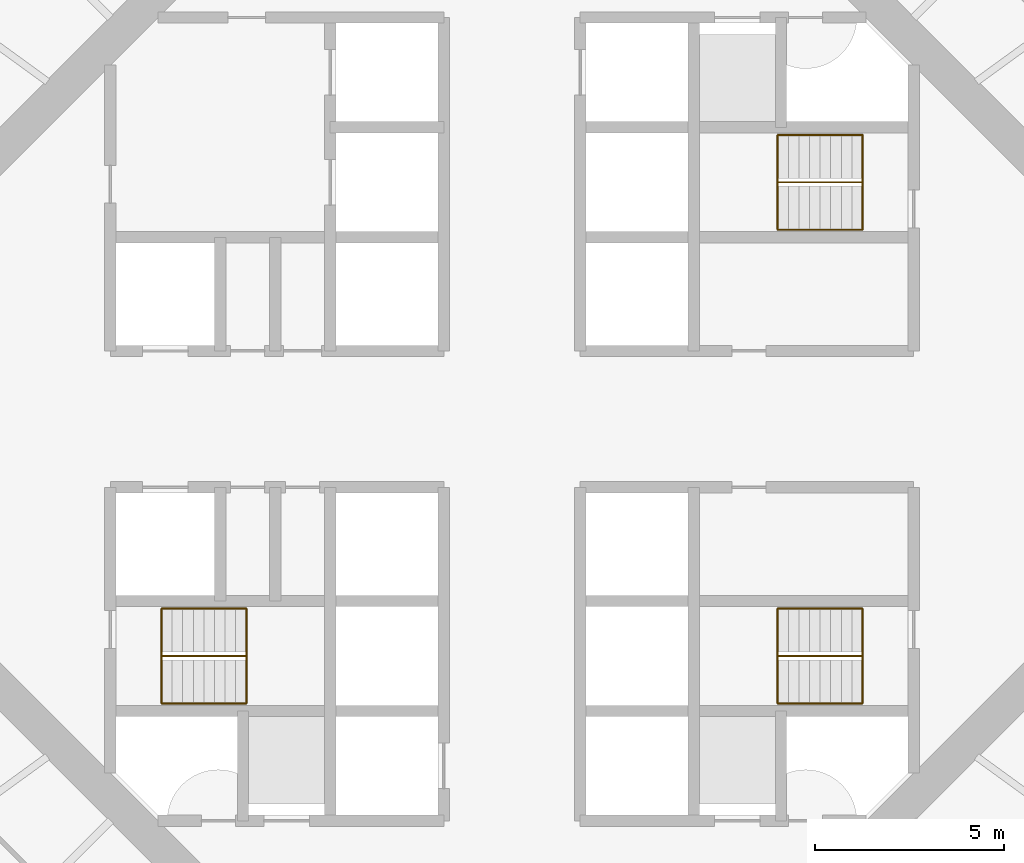
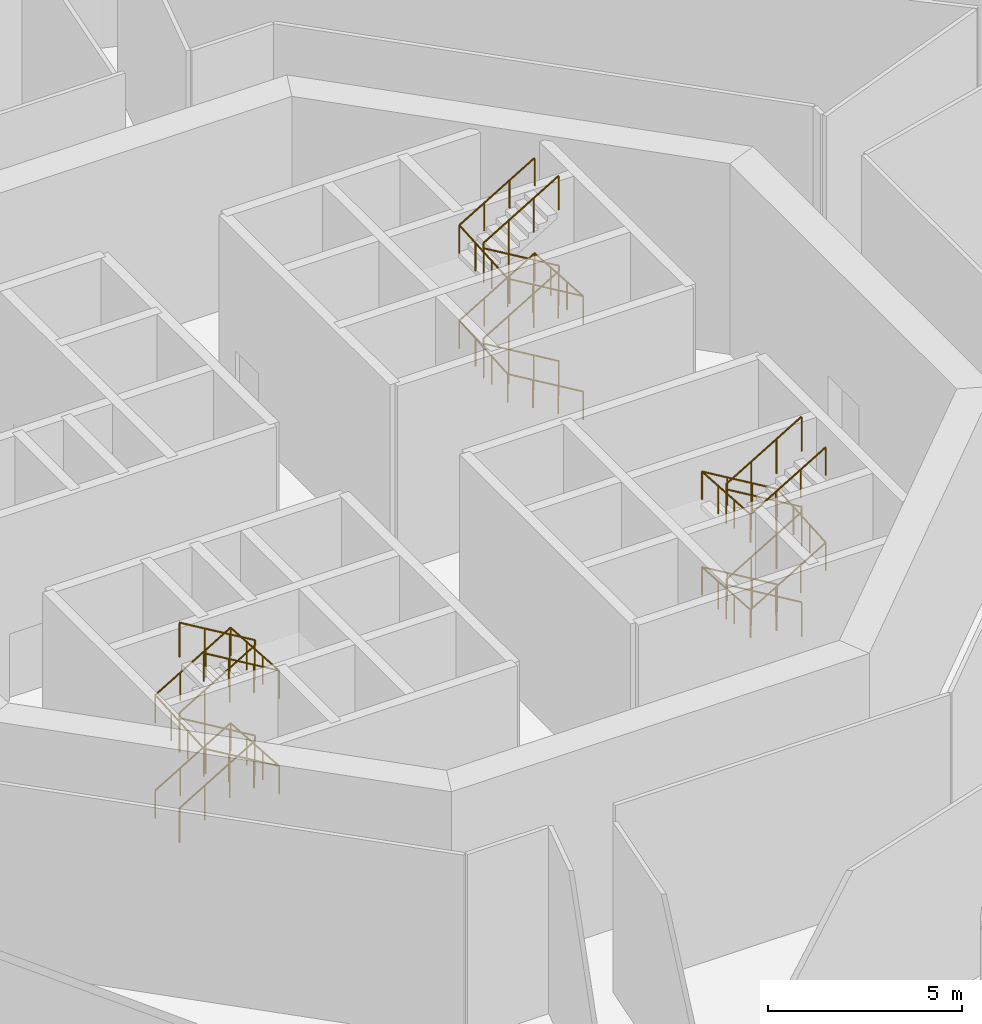
# One storey, part 13 of 14: 6 railings.
"""IFC4 building model written with IfcOpenShell, lengths in metres."""

from ifc_helpers import new_model, si_unit, direction, frame, origin, origin_2d, place, context, subcontext, project, spatial, circle, extrude, material, type_object, element, save


model = new_model("IFC4")

# Units and contexts
model_context = context("Model", 3, precision=1e-05, world=origin(), true_north=direction((0.0, 1.0)))
body_context = subcontext(model_context, "Body", "Model", "MODEL_VIEW")
ifc_project = project(units=[si_unit("LENGTHUNIT", "METRE"), si_unit("AREAUNIT", "SQUARE_METRE"), si_unit("VOLUMEUNIT", "CUBIC_METRE"), si_unit("PLANEANGLEUNIT", "RADIAN"), si_unit("MASSUNIT", "GRAM", prefix="KILO")], contexts=[model_context])

# Site, building, storey
site_placement = place(None, origin())
site = spatial("IfcSite", under=ifc_project, at=site_placement, CompositionType="ELEMENT")
building_placement = place(site_placement, origin())
building = spatial("IfcBuilding", under=site, at=building_placement, Name="Entoto Ring Tower", CompositionType="ELEMENT")
storey_placement = place(building_placement, frame((0.0, 0.0, 262.0)))
storey = spatial("IfcBuildingStorey", under=building, at=storey_placement, Name="L60", CompositionType="ELEMENT", Elevation=262.0)

# Railings
ifc_material_1 = material(Name="Steel S275", Category="steel")
railing_type_1 = type_object("IfcRailingType", Name="Stair guard 1100 mm steel", PredefinedType="GUARDRAIL", material=ifc_material_1)
railing_1_placement = place(storey_placement, frame((99.25, 86.25, 0.166748046875)))
element("IfcRailing", 1, at=railing_1_placement, inside=storey, type_object=railing_type_1, Name="Guard ST1", PredefinedType="GUARDRAIL", context=body_context, shape_type="SweptSolid", body=[
    extrude(circle(Radius=0.02392578125, at=origin_2d()), frame((0.0, 0.0, 1.076171875), z_axis=(-0.859305625298, 0.0, 0.511462454469), x_axis=(0.0, -1.0, 0.0)), (0.0, 0.0, 1.0), 2.606689453125),
    extrude(circle(Radius=0.02392578125, at=origin_2d()), frame((-2.239990234375, 0.0, 2.4091796875), z_axis=(0.0, 0.0, 1.0), x_axis=(1.0, 0.0, 0.0)), (0.0, 0.0, 1.0), 0.166748046875),
    extrude(circle(Radius=0.02392578125, at=origin_2d()), frame((-2.239990234375, 0.0, 2.576171875), z_axis=(0.859305625298, 0.0, 0.511462454469), x_axis=(0.0, 1.0, 0.0)), (0.0, 0.0, 1.0), 2.606689453125),
    extrude(circle(Radius=0.02392578125, at=origin_2d()), frame((0.0, 0.0, 3.9091796875), z_axis=(0.0, 0.0, 1.0), x_axis=(1.0, 0.0, 0.0)), (0.0, 0.0, 1.0), 0.166748046875),
    extrude(circle(Radius=0.02392578125, at=origin_2d()), frame((0.0, 0.0, 4.076171875), z_axis=(-0.859305625298, 0.0, 0.511462454469), x_axis=(0.0, -1.0, 0.0)), (0.0, 0.0, 1.0), 2.606689453125),
    extrude(circle(Radius=0.02392578125, at=origin_2d()), frame((-2.239990234375, 0.0, 5.4091796875), z_axis=(0.0, 0.0, 1.0), x_axis=(1.0, 0.0, 0.0)), (0.0, 0.0, 1.0), 0.166748046875),
    extrude(circle(Radius=0.02392578125, at=origin_2d()), frame((-2.239990234375, 0.0, 5.576171875), z_axis=(0.859305625298, 0.0, 0.511462454469), x_axis=(0.0, 1.0, 0.0)), (0.0, 0.0, 1.0), 2.606689453125),
    extrude(circle(Radius=0.02099609375, at=origin_2d()), origin(), (0.0, 0.0, 1.0), 1.052001953125),
    extrude(circle(Radius=0.02099609375, at=origin_2d()), frame((-0.74658203125, 0.0, 0.4443359375)), (0.0, 0.0, 1.0), 1.052001953125),
    extrude(circle(Radius=0.02099609375, at=origin_2d()), frame((-1.493408203125, 0.0, 0.888916015625)), (0.0, 0.0, 1.0), 1.052001953125),
    extrude(circle(Radius=0.02099609375, at=origin_2d()), frame((-2.239990234375, 0.0, 1.333251953125)), (0.0, 0.0, 1.0), 1.052001953125),
    extrude(circle(Radius=0.02099609375, at=origin_2d()), frame((-2.239990234375, 0.0, 1.5)), (0.0, 0.0, 1.0), 1.052001953125),
    extrude(circle(Radius=0.02099609375, at=origin_2d()), frame((-1.493408203125, 0.0, 1.9443359375)), (0.0, 0.0, 1.0), 1.052001953125),
    extrude(circle(Radius=0.02099609375, at=origin_2d()), frame((-0.74658203125, 0.0, 2.388916015625)), (0.0, 0.0, 1.0), 1.052001953125),
    extrude(circle(Radius=0.02099609375, at=origin_2d()), frame((0.0, 0.0, 2.833251953125)), (0.0, 0.0, 1.0), 1.052001953125),
    extrude(circle(Radius=0.02099609375, at=origin_2d()), frame((0.0, 0.0, 3.0)), (0.0, 0.0, 1.0), 1.052001953125),
    extrude(circle(Radius=0.02099609375, at=origin_2d()), frame((-0.74658203125, 0.0, 3.4443359375)), (0.0, 0.0, 1.0), 1.052001953125),
    extrude(circle(Radius=0.02099609375, at=origin_2d()), frame((-1.493408203125, 0.0, 3.888916015625)), (0.0, 0.0, 1.0), 1.052001953125),
    extrude(circle(Radius=0.02099609375, at=origin_2d()), frame((-2.239990234375, 0.0, 4.333251953125)), (0.0, 0.0, 1.0), 1.052001953125),
    extrude(circle(Radius=0.02099609375, at=origin_2d()), frame((-2.239990234375, 0.0, 4.5)), (0.0, 0.0, 1.0), 1.052001953125),
    extrude(circle(Radius=0.02099609375, at=origin_2d()), frame((-1.493408203125, 0.0, 4.9443359375)), (0.0, 0.0, 1.0), 1.052001953125),
    extrude(circle(Radius=0.02099609375, at=origin_2d()), frame((-0.74658203125, 0.0, 5.388916015625)), (0.0, 0.0, 1.0), 1.052001953125),
    extrude(circle(Radius=0.02099609375, at=origin_2d()), frame((0.0, 0.0, 5.833251953125)), (0.0, 0.0, 1.0), 1.052001953125),
])
railing_2_placement = place(storey_placement, frame((80.75, 73.75, 0.166748046875)))
element("IfcRailing", 2, at=railing_2_placement, inside=storey, type_object=railing_type_1, Name="Guard ST2", PredefinedType="GUARDRAIL", context=body_context, shape_type="SweptSolid", body=[
    extrude(circle(Radius=0.02392578125, at=origin_2d()), frame((0.0, 0.0, 1.076171875), z_axis=(0.859305625298, 0.0, 0.511462454469), x_axis=(0.0, 1.0, 0.0)), (0.0, 0.0, 1.0), 2.606689453125),
    extrude(circle(Radius=0.02392578125, at=origin_2d()), frame((2.239990234375, 0.0, 2.4091796875), z_axis=(0.0, 0.0, 1.0), x_axis=(1.0, 0.0, 0.0)), (0.0, 0.0, 1.0), 0.166748046875),
    extrude(circle(Radius=0.02392578125, at=origin_2d()), frame((2.239990234375, 0.0, 2.576171875), z_axis=(-0.859305625298, 0.0, 0.511462454469), x_axis=(0.0, -1.0, 0.0)), (0.0, 0.0, 1.0), 2.606689453125),
    extrude(circle(Radius=0.02392578125, at=origin_2d()), frame((0.0, 0.0, 3.9091796875), z_axis=(0.0, 0.0, 1.0), x_axis=(1.0, 0.0, 0.0)), (0.0, 0.0, 1.0), 0.166748046875),
    extrude(circle(Radius=0.02392578125, at=origin_2d()), frame((0.0, 0.0, 4.076171875), z_axis=(0.859305625298, 0.0, 0.511462454469), x_axis=(0.0, 1.0, 0.0)), (0.0, 0.0, 1.0), 2.606689453125),
    extrude(circle(Radius=0.02392578125, at=origin_2d()), frame((2.239990234375, 0.0, 5.4091796875), z_axis=(0.0, 0.0, 1.0), x_axis=(1.0, 0.0, 0.0)), (0.0, 0.0, 1.0), 0.166748046875),
    extrude(circle(Radius=0.02392578125, at=origin_2d()), frame((2.239990234375, 0.0, 5.576171875), z_axis=(-0.859305625298, 0.0, 0.511462454469), x_axis=(0.0, -1.0, 0.0)), (0.0, 0.0, 1.0), 2.606689453125),
    extrude(circle(Radius=0.02099609375, at=origin_2d()), origin(), (0.0, 0.0, 1.0), 1.052001953125),
    extrude(circle(Radius=0.02099609375, at=origin_2d()), frame((0.74658203125, 0.0, 0.4443359375)), (0.0, 0.0, 1.0), 1.052001953125),
    extrude(circle(Radius=0.02099609375, at=origin_2d()), frame((1.493408203125, 0.0, 0.888916015625)), (0.0, 0.0, 1.0), 1.052001953125),
    extrude(circle(Radius=0.02099609375, at=origin_2d()), frame((2.239990234375, 0.0, 1.333251953125)), (0.0, 0.0, 1.0), 1.052001953125),
    extrude(circle(Radius=0.02099609375, at=origin_2d()), frame((2.239990234375, 0.0, 1.5)), (0.0, 0.0, 1.0), 1.052001953125),
    extrude(circle(Radius=0.02099609375, at=origin_2d()), frame((1.493408203125, 0.0, 1.9443359375)), (0.0, 0.0, 1.0), 1.052001953125),
    extrude(circle(Radius=0.02099609375, at=origin_2d()), frame((0.74658203125, 0.0, 2.388916015625)), (0.0, 0.0, 1.0), 1.052001953125),
    extrude(circle(Radius=0.02099609375, at=origin_2d()), frame((0.0, 0.0, 2.833251953125)), (0.0, 0.0, 1.0), 1.052001953125),
    extrude(circle(Radius=0.02099609375, at=origin_2d()), frame((0.0, 0.0, 3.0)), (0.0, 0.0, 1.0), 1.052001953125),
    extrude(circle(Radius=0.02099609375, at=origin_2d()), frame((0.74658203125, 0.0, 3.4443359375)), (0.0, 0.0, 1.0), 1.052001953125),
    extrude(circle(Radius=0.02099609375, at=origin_2d()), frame((1.493408203125, 0.0, 3.888916015625)), (0.0, 0.0, 1.0), 1.052001953125),
    extrude(circle(Radius=0.02099609375, at=origin_2d()), frame((2.239990234375, 0.0, 4.333251953125)), (0.0, 0.0, 1.0), 1.052001953125),
    extrude(circle(Radius=0.02099609375, at=origin_2d()), frame((2.239990234375, 0.0, 4.5)), (0.0, 0.0, 1.0), 1.052001953125),
    extrude(circle(Radius=0.02099609375, at=origin_2d()), frame((1.493408203125, 0.0, 4.9443359375)), (0.0, 0.0, 1.0), 1.052001953125),
    extrude(circle(Radius=0.02099609375, at=origin_2d()), frame((0.74658203125, 0.0, 5.388916015625)), (0.0, 0.0, 1.0), 1.052001953125),
    extrude(circle(Radius=0.02099609375, at=origin_2d()), frame((0.0, 0.0, 5.833251953125)), (0.0, 0.0, 1.0), 1.052001953125),
])
railing_3_placement = place(storey_placement, frame((99.25, 73.75, 0.166748046875)))
element("IfcRailing", 3, at=railing_3_placement, inside=storey, type_object=railing_type_1, Name="Guard ST3", PredefinedType="GUARDRAIL", context=body_context, shape_type="SweptSolid", body=[
    extrude(circle(Radius=0.02392578125, at=origin_2d()), frame((0.0, 0.0, 1.076171875), z_axis=(-0.859305625298, 0.0, 0.511462454469), x_axis=(0.0, -1.0, 0.0)), (0.0, 0.0, 1.0), 2.606689453125),
    extrude(circle(Radius=0.02392578125, at=origin_2d()), frame((-2.239990234375, 0.0, 2.4091796875), z_axis=(0.0, 0.0, 1.0), x_axis=(1.0, 0.0, 0.0)), (0.0, 0.0, 1.0), 0.166748046875),
    extrude(circle(Radius=0.02392578125, at=origin_2d()), frame((-2.239990234375, 0.0, 2.576171875), z_axis=(0.859305625298, 0.0, 0.511462454469), x_axis=(0.0, 1.0, 0.0)), (0.0, 0.0, 1.0), 2.606689453125),
    extrude(circle(Radius=0.02392578125, at=origin_2d()), frame((0.0, 0.0, 3.9091796875), z_axis=(0.0, 0.0, 1.0), x_axis=(1.0, 0.0, 0.0)), (0.0, 0.0, 1.0), 0.166748046875),
    extrude(circle(Radius=0.02392578125, at=origin_2d()), frame((0.0, 0.0, 4.076171875), z_axis=(-0.859305625298, 0.0, 0.511462454469), x_axis=(0.0, -1.0, 0.0)), (0.0, 0.0, 1.0), 2.606689453125),
    extrude(circle(Radius=0.02392578125, at=origin_2d()), frame((-2.239990234375, 0.0, 5.4091796875), z_axis=(0.0, 0.0, 1.0), x_axis=(1.0, 0.0, 0.0)), (0.0, 0.0, 1.0), 0.166748046875),
    extrude(circle(Radius=0.02392578125, at=origin_2d()), frame((-2.239990234375, 0.0, 5.576171875), z_axis=(0.859305625298, 0.0, 0.511462454469), x_axis=(0.0, 1.0, 0.0)), (0.0, 0.0, 1.0), 2.606689453125),
    extrude(circle(Radius=0.02099609375, at=origin_2d()), origin(), (0.0, 0.0, 1.0), 1.052001953125),
    extrude(circle(Radius=0.02099609375, at=origin_2d()), frame((-0.74658203125, 0.0, 0.4443359375)), (0.0, 0.0, 1.0), 1.052001953125),
    extrude(circle(Radius=0.02099609375, at=origin_2d()), frame((-1.493408203125, 0.0, 0.888916015625)), (0.0, 0.0, 1.0), 1.052001953125),
    extrude(circle(Radius=0.02099609375, at=origin_2d()), frame((-2.239990234375, 0.0, 1.333251953125)), (0.0, 0.0, 1.0), 1.052001953125),
    extrude(circle(Radius=0.02099609375, at=origin_2d()), frame((-2.239990234375, 0.0, 1.5)), (0.0, 0.0, 1.0), 1.052001953125),
    extrude(circle(Radius=0.02099609375, at=origin_2d()), frame((-1.493408203125, 0.0, 1.9443359375)), (0.0, 0.0, 1.0), 1.052001953125),
    extrude(circle(Radius=0.02099609375, at=origin_2d()), frame((-0.74658203125, 0.0, 2.388916015625)), (0.0, 0.0, 1.0), 1.052001953125),
    extrude(circle(Radius=0.02099609375, at=origin_2d()), frame((0.0, 0.0, 2.833251953125)), (0.0, 0.0, 1.0), 1.052001953125),
    extrude(circle(Radius=0.02099609375, at=origin_2d()), frame((0.0, 0.0, 3.0)), (0.0, 0.0, 1.0), 1.052001953125),
    extrude(circle(Radius=0.02099609375, at=origin_2d()), frame((-0.74658203125, 0.0, 3.4443359375)), (0.0, 0.0, 1.0), 1.052001953125),
    extrude(circle(Radius=0.02099609375, at=origin_2d()), frame((-1.493408203125, 0.0, 3.888916015625)), (0.0, 0.0, 1.0), 1.052001953125),
    extrude(circle(Radius=0.02099609375, at=origin_2d()), frame((-2.239990234375, 0.0, 4.333251953125)), (0.0, 0.0, 1.0), 1.052001953125),
    extrude(circle(Radius=0.02099609375, at=origin_2d()), frame((-2.239990234375, 0.0, 4.5)), (0.0, 0.0, 1.0), 1.052001953125),
    extrude(circle(Radius=0.02099609375, at=origin_2d()), frame((-1.493408203125, 0.0, 4.9443359375)), (0.0, 0.0, 1.0), 1.052001953125),
    extrude(circle(Radius=0.02099609375, at=origin_2d()), frame((-0.74658203125, 0.0, 5.388916015625)), (0.0, 0.0, 1.0), 1.052001953125),
    extrude(circle(Radius=0.02099609375, at=origin_2d()), frame((0.0, 0.0, 5.833251953125)), (0.0, 0.0, 1.0), 1.052001953125),
])
ifc_material_2 = material(Name="Steel S275", Category="steel")
railing_type_2 = type_object("IfcRailingType", Name="Stair handrail 900 mm steel", PredefinedType="HANDRAIL", material=ifc_material_2)
railing_4_placement = place(storey_placement, frame((99.25, 85.0, 0.166748046875)))
element("IfcRailing", 4, at=railing_4_placement, inside=storey, type_object=railing_type_2, Name="Handrail ST1", PredefinedType="HANDRAIL", context=body_context, shape_type="SweptSolid", body=[
    extrude(circle(Radius=0.02392578125, at=origin_2d()), frame((0.0, 0.0, 0.8759765625), z_axis=(-0.859305625298, 0.0, 0.511462454469), x_axis=(0.0, -1.0, 0.0)), (0.0, 0.0, 1.0), 2.606689453125),
    extrude(circle(Radius=0.02392578125, at=origin_2d()), frame((-2.239990234375, 0.0, 2.208984375), z_axis=(0.0, 0.997783001586, 0.066551346688), x_axis=(-1.0, 0.0, 0.0)), (0.0, 0.0, 1.0), 2.505615234375),
    extrude(circle(Radius=0.02392578125, at=origin_2d()), frame((-2.239990234375, 2.5, 2.3759765625), z_axis=(0.859305625298, 0.0, 0.511462454469), x_axis=(0.0, 1.0, 0.0)), (0.0, 0.0, 1.0), 2.606689453125),
    extrude(circle(Radius=0.02392578125, at=origin_2d()), frame((0.0, 2.5, 3.708984375), z_axis=(0.0, -0.997783001586, 0.066551346688), x_axis=(1.0, 0.0, 0.0)), (0.0, 0.0, 1.0), 2.505615234375),
    extrude(circle(Radius=0.02392578125, at=origin_2d()), frame((0.0, 0.0, 3.8759765625), z_axis=(-0.859305625298, 0.0, 0.511462454469), x_axis=(0.0, -1.0, 0.0)), (0.0, 0.0, 1.0), 2.606689453125),
    extrude(circle(Radius=0.02392578125, at=origin_2d()), frame((-2.239990234375, 0.0, 5.208984375), z_axis=(0.0, 0.997783001586, 0.066551346688), x_axis=(-1.0, 0.0, 0.0)), (0.0, 0.0, 1.0), 2.505615234375),
    extrude(circle(Radius=0.02392578125, at=origin_2d()), frame((-2.239990234375, 2.5, 5.3759765625), z_axis=(0.859305625298, 0.0, 0.511462454469), x_axis=(0.0, 1.0, 0.0)), (0.0, 0.0, 1.0), 2.606689453125),
    extrude(circle(Radius=0.02099609375, at=origin_2d()), origin(), (0.0, 0.0, 1.0), 0.851806640625),
    extrude(circle(Radius=0.02099609375, at=origin_2d()), frame((-0.74658203125, 0.0, 0.4443359375)), (0.0, 0.0, 1.0), 0.851806640625),
    extrude(circle(Radius=0.02099609375, at=origin_2d()), frame((-1.493408203125, 0.0, 0.888916015625)), (0.0, 0.0, 1.0), 0.851806640625),
    extrude(circle(Radius=0.02099609375, at=origin_2d()), frame((-2.239990234375, 0.0, 1.333251953125)), (0.0, 0.0, 1.0), 0.851806640625),
    extrude(circle(Radius=0.02099609375, at=origin_2d()), frame((-2.239990234375, 0.833251953125, 1.388916015625)), (0.0, 0.0, 1.0), 0.851806640625),
    extrude(circle(Radius=0.02099609375, at=origin_2d()), frame((-2.239990234375, 1.666748046875, 1.4443359375)), (0.0, 0.0, 1.0), 0.851806640625),
    extrude(circle(Radius=0.02099609375, at=origin_2d()), frame((-2.239990234375, 2.5, 1.5)), (0.0, 0.0, 1.0), 0.851806640625),
    extrude(circle(Radius=0.02099609375, at=origin_2d()), frame((-1.493408203125, 2.5, 1.9443359375)), (0.0, 0.0, 1.0), 0.851806640625),
    extrude(circle(Radius=0.02099609375, at=origin_2d()), frame((-0.74658203125, 2.5, 2.388916015625)), (0.0, 0.0, 1.0), 0.851806640625),
    extrude(circle(Radius=0.02099609375, at=origin_2d()), frame((0.0, 2.5, 2.833251953125)), (0.0, 0.0, 1.0), 0.851806640625),
    extrude(circle(Radius=0.02099609375, at=origin_2d()), frame((0.0, 1.666748046875, 2.888916015625)), (0.0, 0.0, 1.0), 0.851806640625),
    extrude(circle(Radius=0.02099609375, at=origin_2d()), frame((0.0, 0.833251953125, 2.9443359375)), (0.0, 0.0, 1.0), 0.851806640625),
    extrude(circle(Radius=0.02099609375, at=origin_2d()), frame((0.0, 0.0, 3.0)), (0.0, 0.0, 1.0), 0.851806640625),
    extrude(circle(Radius=0.02099609375, at=origin_2d()), frame((-0.74658203125, 0.0, 3.4443359375)), (0.0, 0.0, 1.0), 0.851806640625),
    extrude(circle(Radius=0.02099609375, at=origin_2d()), frame((-1.493408203125, 0.0, 3.888916015625)), (0.0, 0.0, 1.0), 0.851806640625),
    extrude(circle(Radius=0.02099609375, at=origin_2d()), frame((-2.239990234375, 0.0, 4.333251953125)), (0.0, 0.0, 1.0), 0.851806640625),
    extrude(circle(Radius=0.02099609375, at=origin_2d()), frame((-2.239990234375, 0.833251953125, 4.388916015625)), (0.0, 0.0, 1.0), 0.851806640625),
    extrude(circle(Radius=0.02099609375, at=origin_2d()), frame((-2.239990234375, 1.666748046875, 4.4443359375)), (0.0, 0.0, 1.0), 0.851806640625),
    extrude(circle(Radius=0.02099609375, at=origin_2d()), frame((-2.239990234375, 2.5, 4.5)), (0.0, 0.0, 1.0), 0.851806640625),
    extrude(circle(Radius=0.02099609375, at=origin_2d()), frame((-1.493408203125, 2.5, 4.9443359375)), (0.0, 0.0, 1.0), 0.851806640625),
    extrude(circle(Radius=0.02099609375, at=origin_2d()), frame((-0.74658203125, 2.5, 5.388916015625)), (0.0, 0.0, 1.0), 0.851806640625),
    extrude(circle(Radius=0.02099609375, at=origin_2d()), frame((0.0, 2.5, 5.833251953125)), (0.0, 0.0, 1.0), 0.851806640625),
])
railing_5_placement = place(storey_placement, frame((80.75, 75.0, 0.166748046875)))
element("IfcRailing", 5, at=railing_5_placement, inside=storey, type_object=railing_type_2, Name="Handrail ST2", PredefinedType="HANDRAIL", context=body_context, shape_type="SweptSolid", body=[
    extrude(circle(Radius=0.02392578125, at=origin_2d()), frame((0.0, 0.0, 0.8759765625), z_axis=(0.859305625298, 0.0, 0.511462454469), x_axis=(0.0, 1.0, 0.0)), (0.0, 0.0, 1.0), 2.606689453125),
    extrude(circle(Radius=0.02392578125, at=origin_2d()), frame((2.239990234375, 0.0, 2.208984375), z_axis=(0.0, -0.997783001586, 0.066551346688), x_axis=(1.0, 0.0, 0.0)), (0.0, 0.0, 1.0), 2.505615234375),
    extrude(circle(Radius=0.02392578125, at=origin_2d()), frame((2.239990234375, -2.5, 2.3759765625), z_axis=(-0.859305625298, 0.0, 0.511462454469), x_axis=(0.0, -1.0, 0.0)), (0.0, 0.0, 1.0), 2.606689453125),
    extrude(circle(Radius=0.02392578125, at=origin_2d()), frame((0.0, -2.5, 3.708984375), z_axis=(0.0, 0.997783001586, 0.066551346688), x_axis=(-1.0, 0.0, 0.0)), (0.0, 0.0, 1.0), 2.505615234375),
    extrude(circle(Radius=0.02392578125, at=origin_2d()), frame((0.0, 0.0, 3.8759765625), z_axis=(0.859305625298, 0.0, 0.511462454469), x_axis=(0.0, 1.0, 0.0)), (0.0, 0.0, 1.0), 2.606689453125),
    extrude(circle(Radius=0.02392578125, at=origin_2d()), frame((2.239990234375, 0.0, 5.208984375), z_axis=(0.0, -0.997783001586, 0.066551346688), x_axis=(1.0, 0.0, 0.0)), (0.0, 0.0, 1.0), 2.505615234375),
    extrude(circle(Radius=0.02392578125, at=origin_2d()), frame((2.239990234375, -2.5, 5.3759765625), z_axis=(-0.859305625298, 0.0, 0.511462454469), x_axis=(0.0, -1.0, 0.0)), (0.0, 0.0, 1.0), 2.606689453125),
    extrude(circle(Radius=0.02099609375, at=origin_2d()), origin(), (0.0, 0.0, 1.0), 0.851806640625),
    extrude(circle(Radius=0.02099609375, at=origin_2d()), frame((0.74658203125, 0.0, 0.4443359375)), (0.0, 0.0, 1.0), 0.851806640625),
    extrude(circle(Radius=0.02099609375, at=origin_2d()), frame((1.493408203125, 0.0, 0.888916015625)), (0.0, 0.0, 1.0), 0.851806640625),
    extrude(circle(Radius=0.02099609375, at=origin_2d()), frame((2.239990234375, 0.0, 1.333251953125)), (0.0, 0.0, 1.0), 0.851806640625),
    extrude(circle(Radius=0.02099609375, at=origin_2d()), frame((2.239990234375, -0.833251953125, 1.388916015625)), (0.0, 0.0, 1.0), 0.851806640625),
    extrude(circle(Radius=0.02099609375, at=origin_2d()), frame((2.239990234375, -1.666748046875, 1.4443359375)), (0.0, 0.0, 1.0), 0.851806640625),
    extrude(circle(Radius=0.02099609375, at=origin_2d()), frame((2.239990234375, -2.5, 1.5)), (0.0, 0.0, 1.0), 0.851806640625),
    extrude(circle(Radius=0.02099609375, at=origin_2d()), frame((1.493408203125, -2.5, 1.9443359375)), (0.0, 0.0, 1.0), 0.851806640625),
    extrude(circle(Radius=0.02099609375, at=origin_2d()), frame((0.74658203125, -2.5, 2.388916015625)), (0.0, 0.0, 1.0), 0.851806640625),
    extrude(circle(Radius=0.02099609375, at=origin_2d()), frame((0.0, -2.5, 2.833251953125)), (0.0, 0.0, 1.0), 0.851806640625),
    extrude(circle(Radius=0.02099609375, at=origin_2d()), frame((0.0, -1.666748046875, 2.888916015625)), (0.0, 0.0, 1.0), 0.851806640625),
    extrude(circle(Radius=0.02099609375, at=origin_2d()), frame((0.0, -0.833251953125, 2.9443359375)), (0.0, 0.0, 1.0), 0.851806640625),
    extrude(circle(Radius=0.02099609375, at=origin_2d()), frame((0.0, 0.0, 3.0)), (0.0, 0.0, 1.0), 0.851806640625),
    extrude(circle(Radius=0.02099609375, at=origin_2d()), frame((0.74658203125, 0.0, 3.4443359375)), (0.0, 0.0, 1.0), 0.851806640625),
    extrude(circle(Radius=0.02099609375, at=origin_2d()), frame((1.493408203125, 0.0, 3.888916015625)), (0.0, 0.0, 1.0), 0.851806640625),
    extrude(circle(Radius=0.02099609375, at=origin_2d()), frame((2.239990234375, 0.0, 4.333251953125)), (0.0, 0.0, 1.0), 0.851806640625),
    extrude(circle(Radius=0.02099609375, at=origin_2d()), frame((2.239990234375, -0.833251953125, 4.388916015625)), (0.0, 0.0, 1.0), 0.851806640625),
    extrude(circle(Radius=0.02099609375, at=origin_2d()), frame((2.239990234375, -1.666748046875, 4.4443359375)), (0.0, 0.0, 1.0), 0.851806640625),
    extrude(circle(Radius=0.02099609375, at=origin_2d()), frame((2.239990234375, -2.5, 4.5)), (0.0, 0.0, 1.0), 0.851806640625),
    extrude(circle(Radius=0.02099609375, at=origin_2d()), frame((1.493408203125, -2.5, 4.9443359375)), (0.0, 0.0, 1.0), 0.851806640625),
    extrude(circle(Radius=0.02099609375, at=origin_2d()), frame((0.74658203125, -2.5, 5.388916015625)), (0.0, 0.0, 1.0), 0.851806640625),
    extrude(circle(Radius=0.02099609375, at=origin_2d()), frame((0.0, -2.5, 5.833251953125)), (0.0, 0.0, 1.0), 0.851806640625),
])
railing_6_placement = place(storey_placement, frame((99.25, 75.0, 0.166748046875)))
element("IfcRailing", 6, at=railing_6_placement, inside=storey, type_object=railing_type_2, Name="Handrail ST3", PredefinedType="HANDRAIL", context=body_context, shape_type="SweptSolid", body=[
    extrude(circle(Radius=0.02392578125, at=origin_2d()), frame((0.0, 0.0, 0.8759765625), z_axis=(-0.859305625298, 0.0, 0.511462454469), x_axis=(0.0, -1.0, 0.0)), (0.0, 0.0, 1.0), 2.606689453125),
    extrude(circle(Radius=0.02392578125, at=origin_2d()), frame((-2.239990234375, 0.0, 2.208984375), z_axis=(0.0, -0.997783001586, 0.066551346688), x_axis=(1.0, 0.0, 0.0)), (0.0, 0.0, 1.0), 2.505615234375),
    extrude(circle(Radius=0.02392578125, at=origin_2d()), frame((-2.239990234375, -2.5, 2.3759765625), z_axis=(0.859305625298, 0.0, 0.511462454469), x_axis=(0.0, 1.0, 0.0)), (0.0, 0.0, 1.0), 2.606689453125),
    extrude(circle(Radius=0.02392578125, at=origin_2d()), frame((0.0, -2.5, 3.708984375), z_axis=(0.0, 0.997783001586, 0.066551346688), x_axis=(-1.0, 0.0, 0.0)), (0.0, 0.0, 1.0), 2.505615234375),
    extrude(circle(Radius=0.02392578125, at=origin_2d()), frame((0.0, 0.0, 3.8759765625), z_axis=(-0.859305625298, 0.0, 0.511462454469), x_axis=(0.0, -1.0, 0.0)), (0.0, 0.0, 1.0), 2.606689453125),
    extrude(circle(Radius=0.02392578125, at=origin_2d()), frame((-2.239990234375, 0.0, 5.208984375), z_axis=(0.0, -0.997783001586, 0.066551346688), x_axis=(1.0, 0.0, 0.0)), (0.0, 0.0, 1.0), 2.505615234375),
    extrude(circle(Radius=0.02392578125, at=origin_2d()), frame((-2.239990234375, -2.5, 5.3759765625), z_axis=(0.859305625298, 0.0, 0.511462454469), x_axis=(0.0, 1.0, 0.0)), (0.0, 0.0, 1.0), 2.606689453125),
    extrude(circle(Radius=0.02099609375, at=origin_2d()), origin(), (0.0, 0.0, 1.0), 0.851806640625),
    extrude(circle(Radius=0.02099609375, at=origin_2d()), frame((-0.74658203125, 0.0, 0.4443359375)), (0.0, 0.0, 1.0), 0.851806640625),
    extrude(circle(Radius=0.02099609375, at=origin_2d()), frame((-1.493408203125, 0.0, 0.888916015625)), (0.0, 0.0, 1.0), 0.851806640625),
    extrude(circle(Radius=0.02099609375, at=origin_2d()), frame((-2.239990234375, 0.0, 1.333251953125)), (0.0, 0.0, 1.0), 0.851806640625),
    extrude(circle(Radius=0.02099609375, at=origin_2d()), frame((-2.239990234375, -0.833251953125, 1.388916015625)), (0.0, 0.0, 1.0), 0.851806640625),
    extrude(circle(Radius=0.02099609375, at=origin_2d()), frame((-2.239990234375, -1.666748046875, 1.4443359375)), (0.0, 0.0, 1.0), 0.851806640625),
    extrude(circle(Radius=0.02099609375, at=origin_2d()), frame((-2.239990234375, -2.5, 1.5)), (0.0, 0.0, 1.0), 0.851806640625),
    extrude(circle(Radius=0.02099609375, at=origin_2d()), frame((-1.493408203125, -2.5, 1.9443359375)), (0.0, 0.0, 1.0), 0.851806640625),
    extrude(circle(Radius=0.02099609375, at=origin_2d()), frame((-0.74658203125, -2.5, 2.388916015625)), (0.0, 0.0, 1.0), 0.851806640625),
    extrude(circle(Radius=0.02099609375, at=origin_2d()), frame((0.0, -2.5, 2.833251953125)), (0.0, 0.0, 1.0), 0.851806640625),
    extrude(circle(Radius=0.02099609375, at=origin_2d()), frame((0.0, -1.666748046875, 2.888916015625)), (0.0, 0.0, 1.0), 0.851806640625),
    extrude(circle(Radius=0.02099609375, at=origin_2d()), frame((0.0, -0.833251953125, 2.9443359375)), (0.0, 0.0, 1.0), 0.851806640625),
    extrude(circle(Radius=0.02099609375, at=origin_2d()), frame((0.0, 0.0, 3.0)), (0.0, 0.0, 1.0), 0.851806640625),
    extrude(circle(Radius=0.02099609375, at=origin_2d()), frame((-0.74658203125, 0.0, 3.4443359375)), (0.0, 0.0, 1.0), 0.851806640625),
    extrude(circle(Radius=0.02099609375, at=origin_2d()), frame((-1.493408203125, 0.0, 3.888916015625)), (0.0, 0.0, 1.0), 0.851806640625),
    extrude(circle(Radius=0.02099609375, at=origin_2d()), frame((-2.239990234375, 0.0, 4.333251953125)), (0.0, 0.0, 1.0), 0.851806640625),
    extrude(circle(Radius=0.02099609375, at=origin_2d()), frame((-2.239990234375, -0.833251953125, 4.388916015625)), (0.0, 0.0, 1.0), 0.851806640625),
    extrude(circle(Radius=0.02099609375, at=origin_2d()), frame((-2.239990234375, -1.666748046875, 4.4443359375)), (0.0, 0.0, 1.0), 0.851806640625),
    extrude(circle(Radius=0.02099609375, at=origin_2d()), frame((-2.239990234375, -2.5, 4.5)), (0.0, 0.0, 1.0), 0.851806640625),
    extrude(circle(Radius=0.02099609375, at=origin_2d()), frame((-1.493408203125, -2.5, 4.9443359375)), (0.0, 0.0, 1.0), 0.851806640625),
    extrude(circle(Radius=0.02099609375, at=origin_2d()), frame((-0.74658203125, -2.5, 5.388916015625)), (0.0, 0.0, 1.0), 0.851806640625),
    extrude(circle(Radius=0.02099609375, at=origin_2d()), frame((0.0, -2.5, 5.833251953125)), (0.0, 0.0, 1.0), 0.851806640625),
])

save(model, "model.ifc")
